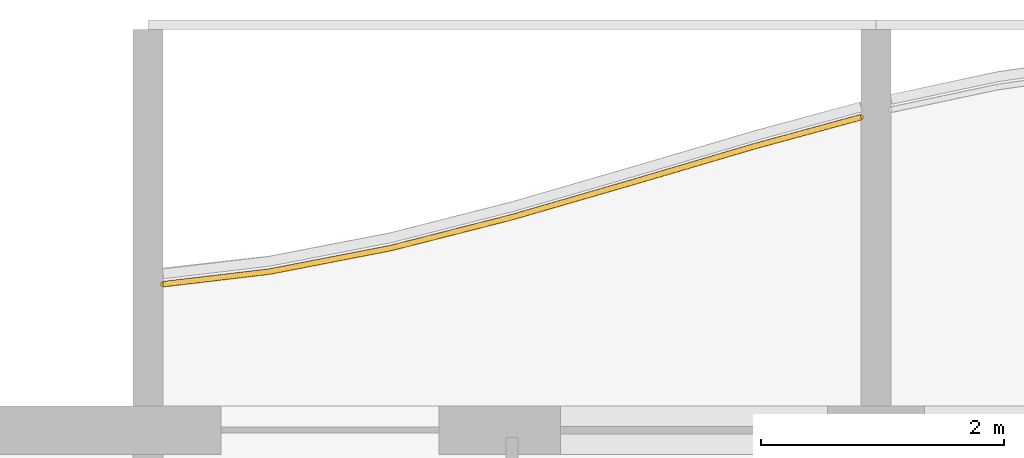
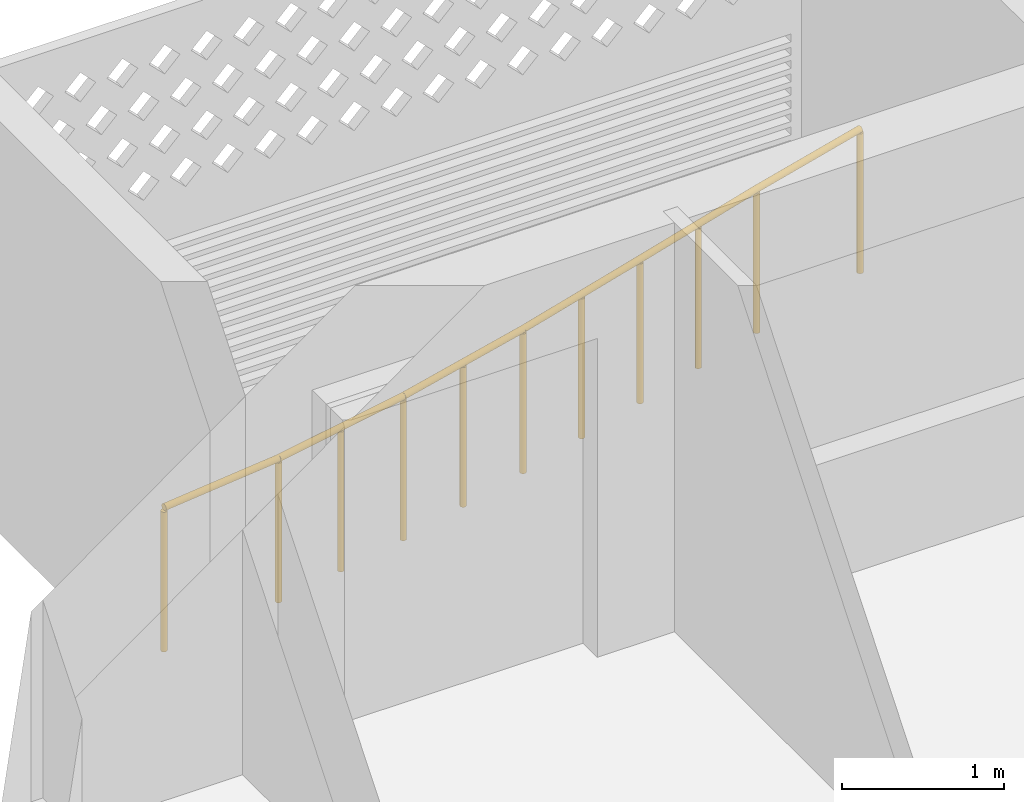
# One storey, part 15 of 28: 1 railing.
"""IFC4 building model written with IfcOpenShell, lengths in metres."""

from ifc_helpers import new_model, si_unit, direction, frame, origin, origin_2d, place, context, subcontext, project, spatial, circle, extrude, material, type_object, element, save


model = new_model("IFC4")

# Units and contexts
model_context = context("Model", 3, precision=1e-05, world=origin(), true_north=direction((0.0, 1.0)))
body_context = subcontext(model_context, "Body", "Model", "MODEL_VIEW")
ifc_project = project(units=[si_unit("LENGTHUNIT", "METRE"), si_unit("AREAUNIT", "SQUARE_METRE"), si_unit("VOLUMEUNIT", "CUBIC_METRE"), si_unit("PLANEANGLEUNIT", "RADIAN"), si_unit("MASSUNIT", "GRAM", prefix="KILO")], contexts=[model_context])

# Site, building, storey
site_placement = place(None, origin())
site = spatial("IfcSite", under=ifc_project, at=site_placement, CompositionType="ELEMENT")
building_placement = place(site_placement, origin())
building = spatial("IfcBuilding", under=site, at=building_placement, Name="Poui Terraces", CompositionType="ELEMENT")
storey_placement = place(building_placement, frame((0.0, 0.0, 185.10009765625)))
storey = spatial("IfcBuildingStorey", under=building, at=storey_placement, Name="L51", CompositionType="ELEMENT", Elevation=185.10009765625)

# Railing
ifc_material = material(Name="Painted steel fretwork", Category="steel")
railing_type = type_object("IfcRailingType", Name="BALCONY GUARD 1100", PredefinedType="GUARDRAIL", material=ifc_material)
railing_placement = place(storey_placement, frame((24.125, 42.403076171875, 0.0)))
element("IfcRailing", 1, at=railing_placement, inside=storey, type_object=railing_type, Name="BALCONY GUARD", PredefinedType="GUARDRAIL", context=body_context, shape_type="SweptSolid", body=[
    extrude(circle(Radius=0.02392578125, at=origin_2d()), frame((0.0, 0.0, 1.076171875), z_axis=(0.993074741363, 0.117484288599, 0.0), x_axis=(-0.117484288599, 0.993074741363, 0.0)), (0.0, 0.0, 1.0), 0.881103515625),
    extrude(circle(Radius=0.02392578125, at=origin_2d()), frame((0.875, 0.103515625, 1.076171875), z_axis=(0.981724998512, 0.190305090044, 0.0), x_axis=(-0.190305090044, 0.981724998512, 0.0)), (0.0, 0.0, 1.0), 1.0185546875),
    extrude(circle(Radius=0.02392578125, at=origin_2d()), frame((1.875, 0.29736328125, 1.076171875), z_axis=(0.969018976325, 0.246986282052, 0.0), x_axis=(-0.246986282052, 0.969018976325, 0.0)), (0.0, 0.0, 1.0), 1.031982421875),
    extrude(circle(Radius=0.02392578125, at=origin_2d()), frame((2.875, 0.55224609375, 1.076171875), z_axis=(0.960419102414, 0.278559056071, 0.0), x_axis=(-0.278559056071, 0.960419102414, 0.0)), (0.0, 0.0, 1.0), 1.041259765625),
    extrude(circle(Radius=0.02392578125, at=origin_2d()), frame((3.875, 0.84228515625, 1.076171875), z_axis=(0.959156425707, 0.282876211488, 0.0), x_axis=(-0.282876211488, 0.959156425707, 0.0)), (0.0, 0.0, 1.0), 1.04248046875),
    extrude(circle(Radius=0.02392578125, at=origin_2d()), frame((4.875, 1.13720703125, 1.076171875), z_axis=(0.964794875477, 0.263003513767, 0.0), x_axis=(-0.263003513767, 0.964794875477, 0.0)), (0.0, 0.0, 1.0), 0.906982421875),
    extrude(circle(Radius=0.02099609375, at=origin_2d()), origin(), (0.0, 0.0, 1.0), 1.052001953125),
    extrude(circle(Radius=0.02099609375, at=origin_2d()), frame((0.875, 0.103515625, 0.0)), (0.0, 0.0, 1.0), 1.052001953125),
    extrude(circle(Radius=0.02099609375, at=origin_2d()), frame((1.375, 0.200439453125, 0.0)), (0.0, 0.0, 1.0), 1.052001953125),
    extrude(circle(Radius=0.02099609375, at=origin_2d()), frame((1.875, 0.29736328125, 0.0)), (0.0, 0.0, 1.0), 1.052001953125),
    extrude(circle(Radius=0.02099609375, at=origin_2d()), frame((2.375, 0.4248046875, 0.0)), (0.0, 0.0, 1.0), 1.052001953125),
    extrude(circle(Radius=0.02099609375, at=origin_2d()), frame((2.875, 0.55224609375, 0.0)), (0.0, 0.0, 1.0), 1.052001953125),
    extrude(circle(Radius=0.02099609375, at=origin_2d()), frame((3.375, 0.697265625, 0.0)), (0.0, 0.0, 1.0), 1.052001953125),
    extrude(circle(Radius=0.02099609375, at=origin_2d()), frame((3.875, 0.84228515625, 0.0)), (0.0, 0.0, 1.0), 1.052001953125),
    extrude(circle(Radius=0.02099609375, at=origin_2d()), frame((4.375, 0.98974609375, 0.0)), (0.0, 0.0, 1.0), 1.052001953125),
    extrude(circle(Radius=0.02099609375, at=origin_2d()), frame((4.875, 1.13720703125, 0.0)), (0.0, 0.0, 1.0), 1.052001953125),
    extrude(circle(Radius=0.02099609375, at=origin_2d()), frame((5.75, 1.375732421875, 0.0)), (0.0, 0.0, 1.0), 1.052001953125),
])

save(model, "model.ifc")
